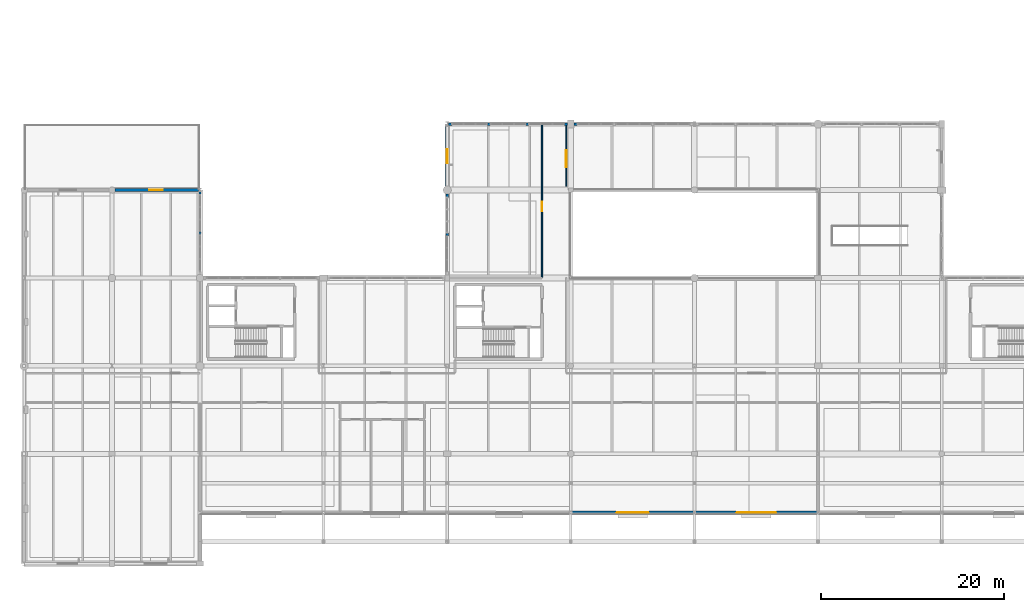
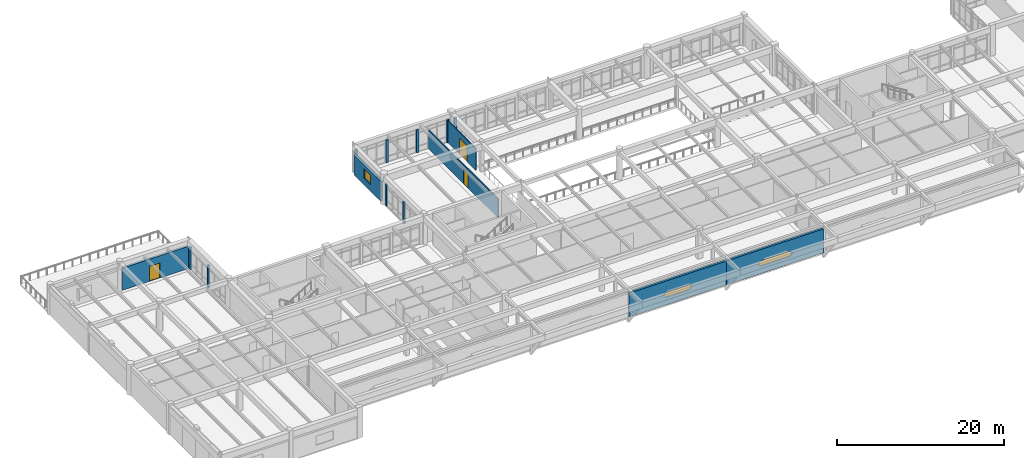
# One storey, part 66 of 80: 15 walls, 3 doors, 3 windows, 6 openings.
"""IFC4 building model written with IfcOpenShell, lengths in metres."""

from ifc_helpers import new_model, si_unit, direction, frame, frame_2d, origin, place, context, subcontext, project, spatial, polyline, rectangle, outline, extrude, material, layer, layer_set, type_object, element, fill, save


model = new_model("IFC4")

# Units and contexts
model_context = context("Model", 3, precision=1e-05, world=origin(), true_north=direction((0.0, 1.0)))
body_context = subcontext(model_context, "Body", "Model", "MODEL_VIEW")
ifc_project = project(units=[si_unit("LENGTHUNIT", "METRE"), si_unit("AREAUNIT", "SQUARE_METRE"), si_unit("VOLUMEUNIT", "CUBIC_METRE"), si_unit("PLANEANGLEUNIT", "RADIAN"), si_unit("MASSUNIT", "GRAM", prefix="KILO")], contexts=[model_context])

# Site, building, storey
site_placement = place(None, origin())
site = spatial("IfcSite", under=ifc_project, at=site_placement, CompositionType="ELEMENT")
building_placement = place(site_placement, origin())
building = spatial("IfcBuilding", under=site, at=building_placement, Name="Fikremerkos Civic Library", CompositionType="ELEMENT")
storey_placement = place(building_placement, frame((0.0, 0.0, 9.89990234375)))
storey = spatial("IfcBuildingStorey", under=building, at=storey_placement, Name="L02", CompositionType="ELEMENT", Elevation=9.89990234375)

# Wall, opening, window
ifc_material_1 = material(Name="Precast concrete C40/50", Category="concrete")
ifc_layer_1 = layer(ifc_material_1, 0.320068359375, Name="Precast concrete C40/50")
ifc_layer_set_1 = layer_set([ifc_layer_1], Name="Precast concrete C40/50")
wall_type_1 = type_object("IfcWallType", Name="Exterior solid wall ESW-02 320", PredefinedType="SOLIDWALL", material=ifc_layer_set_1)
wall_1_placement = place(storey_placement, frame((46.199951171875, 41.248046875, 0.0), z_axis=(0.0, 0.0, 1.0), x_axis=(0.0, 1.0, 0.0)))
wall_1 = element("IfcWall", 1, at=wall_1_placement, inside=storey, type_object=wall_type_1, Name="Exterior solid wall ESW-02 L02 #491", PredefinedType="SOLIDWALL", context=body_context, shape_type="SweptSolid", body=[
    extrude(rectangle(XDim=6.50390625, YDim=0.320068359375, at=frame_2d((3.251953125, 0.0))), origin(), (0.0, 0.0, 1.0), 2.920166015625),
])
opening_1_placement = place(wall_1_placement, frame((2.501953125, 0.0, 0.949951171875)))
opening_1 = element("IfcOpeningElement", 2, at=opening_1_placement, cuts=wall_1, Name="Opening CWND-10", PredefinedType="OPENING", context=body_context, shape_type="SweptSolid", body=[
    extrude(rectangle(XDim=1.5, YDim=1.35009765625, at=frame_2d((0.75, 0.675048828125))), frame((0.0, 0.169921875, 0.0), z_axis=(0.0, -1.0, 0.0), x_axis=(1.0, 0.0, 0.0)), (0.0, 0.0, 1.0), 0.340087890625),
])
ifc_material_2 = material(Name="Solar control double glazing", Category="glass")
window_type_1 = type_object("IfcWindowType", Name="Courtyard window CWND-10 1500x1350", PartitioningType="SINGLE_PANEL", PredefinedType="WINDOW", material=ifc_material_2)
window_1_placement = place(opening_1_placement, origin())
window_1 = element("IfcWindow", 3, at=window_1_placement, inside=storey, type_object=window_type_1, Name="Courtyard window CWND-10 L02 #26", OverallHeight=1.35009765625, OverallWidth=1.5, PartitioningType="SINGLE_PANEL", PredefinedType="WINDOW", context=body_context, shape_type="SweptSolid", body=[
    extrude(rectangle(XDim=1.5, YDim=1.35009765625, at=frame_2d((0.75, 0.675048828125))), frame((0.0, 0.032470703125, 0.0), z_axis=(0.0, -1.0, 0.0), x_axis=(1.0, 0.0, 0.0)), (0.0, 0.0, 1.0), 0.06494140625),
])
fill(opening_1, window_1)

ifc_layer_2 = layer(ifc_material_1, 0.300048828125, Name="Precast concrete C40/50")
ifc_layer_set_2 = layer_set([ifc_layer_2], Name="Precast concrete C40/50")
wall_type_2 = type_object("IfcWallType", Name="Exterior solid wall ESW-03 300", PredefinedType="SOLIDWALL", material=ifc_layer_set_2)
wall_2_placement = place(storey_placement, frame((86.697998046875, 5.60009765625, 0.0), z_axis=(0.0, 0.0, 1.0), x_axis=(-1.0, 0.0, 0.0)))
wall_2 = element("IfcWall", 4, at=wall_2_placement, inside=storey, type_object=wall_type_2, Name="Cantilever concrete band wall ESW-03 L02 #459", PredefinedType="SOLIDWALL", context=body_context, shape_type="SweptSolid", body=[
    extrude(rectangle(XDim=13.49609375, YDim=0.300048828125, at=frame_2d((6.748046875, 0.0))), origin(), (0.0, 0.0, 1.0), 3.5),
])
opening_2_placement = place(wall_2_placement, frame((4.447998046875, 0.0, 1.10009765625)))
opening_2 = element("IfcOpeningElement", 5, at=opening_2_placement, cuts=wall_2, Name="Opening SW-10", PredefinedType="OPENING", context=body_context, shape_type="SweptSolid", body=[
    extrude(outline(polyline([(0.375, 0.75), (0.246826171875, 0.727294921875), (0.134033203125, 0.662353515625), (0.05029296875, 0.5625), (0.005615234375, 0.440185546875), (0.005615234375, 0.309814453125), (0.05029296875, 0.1875), (0.134033203125, 0.087646484375), (0.246826171875, 0.022705078125), (0.375, 0.0), (4.22509765625, 0.0), (4.353271484375, 0.022705078125), (4.466064453125, 0.087646484375), (4.5498046875, 0.1875), (4.594482421875, 0.309814453125), (4.594482421875, 0.440185546875), (4.5498046875, 0.5625), (4.466064453125, 0.662353515625), (4.353271484375, 0.727294921875), (4.22509765625, 0.75), (0.375, 0.75)])), frame((0.0, 0.159912109375, 0.0), z_axis=(0.0, -1.0, 0.0), x_axis=(1.0, 0.0, 0.0)), (0.0, 0.0, 1.0), 0.320068359375),
])
window_type_2 = type_object("IfcWindowType", Name="Facade slot window SW-10 4600x750", PartitioningType="SINGLE_PANEL", PredefinedType="WINDOW", material=ifc_material_2)
window_2_placement = place(opening_2_placement, origin())
window_2 = element("IfcWindow", 6, at=window_2_placement, inside=storey, type_object=window_type_2, Name="Rounded-end facade slot window SW-10 L02 #10", OverallHeight=0.75, OverallWidth=4.60009765625, PartitioningType="SINGLE_PANEL", PredefinedType="WINDOW", context=body_context, shape_type="SweptSolid", body=[
    extrude(outline(polyline([(0.375, 0.75), (0.246826171875, 0.727294921875), (0.134033203125, 0.662353515625), (0.05029296875, 0.5625), (0.005615234375, 0.440185546875), (0.005615234375, 0.309814453125), (0.05029296875, 0.1875), (0.134033203125, 0.087646484375), (0.246826171875, 0.022705078125), (0.375, 0.0), (4.22509765625, 0.0), (4.353271484375, 0.022705078125), (4.466064453125, 0.087646484375), (4.5498046875, 0.1875), (4.594482421875, 0.309814453125), (4.594482421875, 0.440185546875), (4.5498046875, 0.5625), (4.466064453125, 0.662353515625), (4.353271484375, 0.727294921875), (4.22509765625, 0.75), (0.375, 0.75)])), frame((0.0, 0.032470703125, 0.0), z_axis=(0.0, -1.0, 0.0), x_axis=(1.0, 0.0, 0.0)), (0.0, 0.0, 1.0), 0.06494140625),
])
fill(opening_2, window_2)

wall_3_placement = place(storey_placement, frame((73.197998046875, 5.60009765625, 0.0), z_axis=(0.0, 0.0, 1.0), x_axis=(-1.0, 0.0, 0.0)))
wall_3 = element("IfcWall", 7, at=wall_3_placement, inside=storey, type_object=wall_type_2, Name="Cantilever concrete band wall ESW-03 L02 #460", PredefinedType="SOLIDWALL", context=body_context, shape_type="SweptSolid", body=[
    extrude(rectangle(XDim=13.49609375, YDim=0.300048828125, at=frame_2d((6.748046875, 0.0))), origin(), (0.0, 0.0, 1.0), 3.5),
])
opening_3_placement = place(wall_3_placement, frame((4.847900390625, 0.0, 1.10009765625)))
opening_3 = element("IfcOpeningElement", 8, at=opening_3_placement, cuts=wall_3, Name="Opening SW-11", PredefinedType="OPENING", context=body_context, shape_type="SweptSolid", body=[
    extrude(outline(polyline([(0.35009765625, 0.699951171875), (0.230224609375, 0.678955078125), (0.125, 0.6181640625), (0.046875, 0.52490234375), (0.00537109375, 0.41064453125), (0.00537109375, 0.289306640625), (0.046875, 0.175048828125), (0.125, 0.081787109375), (0.230224609375, 0.02099609375), (0.349853515625, 0.0), (3.4501953125, 0.0), (3.56982421875, 0.02099609375), (3.675048828125, 0.081787109375), (3.753173828125, 0.175048828125), (3.794677734375, 0.289306640625), (3.794677734375, 0.41064453125), (3.753173828125, 0.52490234375), (3.675048828125, 0.6181640625), (3.56982421875, 0.678955078125), (3.4501953125, 0.699951171875), (0.35009765625, 0.699951171875)])), frame((0.0, 0.159912109375, 0.0), z_axis=(0.0, -1.0, 0.0), x_axis=(1.0, 0.0, 0.0)), (0.0, 0.0, 1.0), 0.320068359375),
])
window_type_3 = type_object("IfcWindowType", Name="Facade slot window SW-11 3800x700", PartitioningType="SINGLE_PANEL", PredefinedType="WINDOW", material=ifc_material_2)
window_3_placement = place(opening_3_placement, origin())
window_3 = element("IfcWindow", 9, at=window_3_placement, inside=storey, type_object=window_type_3, Name="Rounded-end facade slot window SW-11 L02 #11", OverallHeight=0.699951171875, OverallWidth=3.800048828125, PartitioningType="SINGLE_PANEL", PredefinedType="WINDOW", context=body_context, shape_type="SweptSolid", body=[
    extrude(outline(polyline([(0.35009765625, 0.699951171875), (0.230224609375, 0.678955078125), (0.125, 0.6181640625), (0.046875, 0.52490234375), (0.00537109375, 0.41064453125), (0.00537109375, 0.289306640625), (0.046875, 0.175048828125), (0.125, 0.081787109375), (0.230224609375, 0.02099609375), (0.349853515625, 0.0), (3.4501953125, 0.0), (3.56982421875, 0.02099609375), (3.675048828125, 0.081787109375), (3.753173828125, 0.175048828125), (3.794677734375, 0.289306640625), (3.794677734375, 0.41064453125), (3.753173828125, 0.52490234375), (3.675048828125, 0.6181640625), (3.56982421875, 0.678955078125), (3.4501953125, 0.699951171875), (0.35009765625, 0.699951171875)])), frame((0.0, 0.032470703125, 0.0), z_axis=(0.0, -1.0, 0.0), x_axis=(1.0, 0.0, 0.0)), (0.0, 0.0, 1.0), 0.06494140625),
])
fill(opening_3, window_3)

# Wall, opening, door
wall_4_placement = place(storey_placement, frame((9.947998046875, 40.800048828125, 0.0), z_axis=(0.0, 0.0, 1.0), x_axis=(1.0, 0.0, 0.0)))
wall_4 = element("IfcWall", 10, at=wall_4_placement, inside=storey, type_object=wall_type_2, Name="Terrace threshold wall ESW-03 L02 #476", PredefinedType="SOLIDWALL", context=body_context, shape_type="SweptSolid", body=[
    extrude(rectangle(XDim=9.10400390625, YDim=0.300048828125, at=frame_2d((4.552001953125, 0.0))), origin(), (0.0, 0.0, 1.0), 3.25),
])
opening_4_placement = place(wall_4_placement, frame((3.701904296875, 0.0, 0.0)))
opening_4 = element("IfcOpeningElement", 11, at=opening_4_placement, cuts=wall_4, Name="Opening D024", PredefinedType="OPENING", context=body_context, shape_type="SweptSolid", body=[
    extrude(rectangle(XDim=1.5, YDim=2.199951171875, at=frame_2d((0.75, 1.10009765625))), frame((0.0, 0.159912109375, 0.0), z_axis=(0.0, -1.0, 0.0), x_axis=(1.0, 0.0, 0.0)), (0.0, 0.0, 1.0), 0.320068359375),
])
ifc_material_3 = material(Name="Thermally broken bronze aluminium and glass", Category="aluminium")
door_type_1 = type_object("IfcDoorType", Name="Pedestrian door DT-13 1500x2200", OperationType="NOTDEFINED", PredefinedType="DOOR", material=ifc_material_3)
door_1_placement = place(opening_4_placement, origin())
door_1 = element("IfcDoor", 12, at=door_1_placement, inside=storey, type_object=door_type_1, Name="Reading terrace access door D024 L02", OperationType="SINGLE_SWING_RIGHT", OverallHeight=2.199951171875, OverallWidth=1.5, PredefinedType="DOOR", context=body_context, shape_type="SweptSolid", body=[
    extrude(rectangle(XDim=1.5, YDim=2.199951171875, at=frame_2d((0.75, 1.10009765625))), frame((0.0, 0.032470703125, 0.0), z_axis=(0.0, -1.0, 0.0), x_axis=(1.0, 0.0, 0.0)), (0.0, 0.0, 1.0), 0.06494140625),
])
fill(opening_4, door_1)

# Walls
ifc_layer_3 = layer(ifc_material_1, 0.25, Name="Precast concrete C40/50")
ifc_layer_set_3 = layer_set([ifc_layer_3], Name="Precast concrete C40/50")
wall_type_3 = type_object("IfcWallType", Name="Exterior solid wall ESW-05 250", PredefinedType="SOLIDWALL", material=ifc_layer_set_3)
wall_5_placement = place(storey_placement, frame((19.199951171875, 40.6220703125, 0.0), z_axis=(0.0, 0.0, 1.0), x_axis=(0.0, -1.0, 0.0)))
element("IfcWall", 13, at=wall_5_placement, inside=storey, type_object=wall_type_3, Name="Exterior facade pier ESW-05 #477", PredefinedType="SOLIDWALL", context=body_context, shape_type="SweptSolid", body=[
    extrude(rectangle(XDim=0.35009765625, YDim=0.25, at=frame_2d((0.175048828125, 0.0))), origin(), (0.0, 0.0, 1.0), 3.25),
])
wall_6_placement = place(storey_placement, frame((19.199951171875, 36.260009765625, 0.0), z_axis=(0.0, 0.0, 1.0), x_axis=(0.0, -1.0, 0.0)))
element("IfcWall", 14, at=wall_6_placement, inside=storey, type_object=wall_type_3, Name="Exterior facade mullion pier ESW-05 #479", PredefinedType="SOLIDWALL", context=body_context, shape_type="SweptSolid", body=[
    extrude(rectangle(XDim=0.300048828125, YDim=0.25, at=frame_2d((0.14990234375, 0.0))), origin(), (0.0, 0.0, 1.0), 3.25),
])
wall_7_placement = place(storey_placement, frame((46.199951171875, 40.001953125, 0.0), z_axis=(0.0, 0.0, 1.0), x_axis=(0.0, 1.0, 0.0)))
element("IfcWall", 15, at=wall_7_placement, inside=storey, type_object=wall_type_3, Name="Exterior facade pier ESW-05 #489", PredefinedType="SOLIDWALL", context=body_context, shape_type="SweptSolid", body=[
    extrude(rectangle(XDim=0.35009765625, YDim=0.25, at=frame_2d((0.175048828125, 0.0))), origin(), (0.0, 0.0, 1.0), 3.150146484375),
])
wall_8_placement = place(storey_placement, frame((46.199951171875, 35.800048828125, 0.0), z_axis=(0.0, 0.0, 1.0), x_axis=(0.0, 1.0, 0.0)))
element("IfcWall", 16, at=wall_8_placement, inside=storey, type_object=wall_type_3, Name="Exterior facade mullion pier ESW-05 #490", PredefinedType="SOLIDWALL", context=body_context, shape_type="SweptSolid", body=[
    extrude(rectangle(XDim=0.300048828125, YDim=0.25, at=frame_2d((0.14990234375, 0.0))), origin(), (0.0, 0.0, 1.0), 3.150146484375),
])
for number, where, z_axis, x_axis, name in (
    (17, (46.347900390625, 48.0, 0.0), (0.0, 0.0, 1.0), (1.0, 0.0, 0.0), "Exterior facade pier ESW-05 #492"),
    (18, (59.001953125, 48.0, 0.0), (0.0, 0.0, 1.0), (1.0, 0.0, 0.0), "Exterior facade pier ESW-05 #493"),
):
    element("IfcWall", number, at=place(storey_placement, frame(where, z_axis=z_axis, x_axis=x_axis)), inside=storey, type_object=wall_type_3, Name=name, PredefinedType="SOLIDWALL", context=body_context, shape_type="SweptSolid", body=[
        extrude(rectangle(XDim=0.35009765625, YDim=0.25, at=frame_2d((0.175048828125, 0.0))), origin(), (0.0, 0.0, 1.0), 3.360107421875),
    ])
wall_9_placement = place(storey_placement, frame((50.599365234375, 48.0, 0.0), z_axis=(0.0, 0.0, 1.0), x_axis=(1.0, 0.0, 0.0)))
element("IfcWall", 19, at=wall_9_placement, inside=storey, type_object=wall_type_3, Name="Exterior facade mullion pier ESW-05 #494", PredefinedType="SOLIDWALL", context=body_context, shape_type="SweptSolid", body=[
    extrude(rectangle(XDim=0.300048828125, YDim=0.25, at=frame_2d((0.14990234375, 0.0))), origin(), (0.0, 0.0, 1.0), 3.360107421875),
])
wall_10_placement = place(storey_placement, frame((54.80078125, 48.0, 0.0), z_axis=(0.0, 0.0, 1.0), x_axis=(1.0, 0.0, 0.0)))
element("IfcWall", 20, at=wall_10_placement, inside=storey, type_object=wall_type_3, Name="Exterior facade mullion pier ESW-05 #495", PredefinedType="SOLIDWALL", context=body_context, shape_type="SweptSolid", body=[
    extrude(rectangle(XDim=0.2998046875, YDim=0.25, at=frame_2d((0.14990234375, 0.0))), origin(), (0.0, 0.0, 1.0), 3.360107421875),
])
wall_11_placement = place(storey_placement, frame((60.048095703125, 48.0, 0.0), z_axis=(0.0, 0.0, 1.0), x_axis=(1.0, 0.0, 0.0)))
element("IfcWall", 21, at=wall_11_placement, inside=storey, type_object=wall_type_3, Name="Exterior facade pier ESW-05 #496", PredefinedType="SOLIDWALL", context=body_context, shape_type="SweptSolid", body=[
    extrude(rectangle(XDim=0.349853515625, YDim=0.25, at=frame_2d((0.1748046875, 0.0))), origin(), (0.0, 0.0, 1.0), 3.260009765625),
])

# Wall, opening, door
ifc_material_4 = material(Name="Acoustic gypsum stud partition")
ifc_layer_4 = layer(ifc_material_4, 0.14990234375, Name="Acoustic gypsum stud partition")
ifc_layer_set_4 = layer_set([ifc_layer_4], Name="Acoustic gypsum stud partition")
wall_type_4 = type_object("IfcWallType", Name="Interior partition wall IPW-02 150", PredefinedType="PARTITIONING", material=ifc_layer_set_4)
wall_12_placement = place(storey_placement, frame((56.550048828125, 31.304931640625, 0.0), z_axis=(0.0, 0.0, 1.0), x_axis=(0.0, 1.0, 0.0)))
wall_12 = element("IfcWall", 22, at=wall_12_placement, inside=storey, type_object=wall_type_4, Name="Interior wall IPW-02 L02 #197", PredefinedType="PARTITIONING", context=body_context, shape_type="SweptSolid", body=[
    extrude(rectangle(XDim=16.612060546875, YDim=0.14990234375, at=frame_2d((8.30615234375, 0.0))), origin(), (0.0, 0.0, 1.0), 2.732666015625),
])
opening_5_placement = place(wall_12_placement, frame((7.195068359375, 0.0, 0.0)))
opening_5 = element("IfcOpeningElement", 23, at=opening_5_placement, cuts=wall_12, Name="Opening D225", PredefinedType="OPENING", context=body_context, shape_type="SweptSolid", body=[
    extrude(rectangle(XDim=1.0, YDim=2.199951171875, at=frame_2d((0.5, 1.10009765625))), frame((0.0, 0.0849609375, 0.0), z_axis=(0.0, -1.0, 0.0), x_axis=(1.0, 0.0, 0.0)), (0.0, 0.0, 1.0), 0.169921875),
])
ifc_material_5 = material(Name="Hardwood timber and acoustic glass", Category="wood")
door_type_2 = type_object("IfcDoorType", Name="Pedestrian door DT-01 1000x2200", OperationType="NOTDEFINED", PredefinedType="DOOR", material=ifc_material_5)
door_2_placement = place(opening_5_placement, origin())
door_2 = element("IfcDoor", 24, at=door_2_placement, inside=storey, type_object=door_type_2, Name="Interior door D225 L02", OperationType="SINGLE_SWING_RIGHT", OverallHeight=2.199951171875, OverallWidth=1.0, PredefinedType="DOOR", context=body_context, shape_type="SweptSolid", body=[
    extrude(rectangle(XDim=1.0, YDim=2.199951171875, at=frame_2d((0.5, 1.10009765625))), frame((0.0, 0.032470703125, 0.0), z_axis=(0.0, -1.0, 0.0), x_axis=(1.0, 0.0, 0.0)), (0.0, 0.0, 1.0), 0.06494140625),
])
fill(opening_5, door_2)

ifc_material_6 = material(Name="Lightweight metal stud partition")
ifc_layer_5 = layer(ifc_material_6, 0.110107421875, Name="Lightweight metal stud partition")
ifc_layer_set_5 = layer_set([ifc_layer_5], Name="Lightweight metal stud partition")
wall_type_5 = type_object("IfcWallType", Name="Interior partition wall IPW-04 110", PredefinedType="PARTITIONING", material=ifc_layer_set_5)
wall_13_placement = place(storey_placement, frame((59.199951171875, 41.199951171875, 0.0), z_axis=(0.0, 0.0, 1.0), x_axis=(0.0, 1.0, 0.0)))
wall_13 = element("IfcWall", 25, at=wall_13_placement, inside=storey, type_object=wall_type_5, Name="Interior wall IPW-04 L02 #199", PredefinedType="PARTITIONING", context=body_context, shape_type="SweptSolid", body=[
    extrude(rectangle(XDim=6.671142578125, YDim=0.110107421875, at=frame_2d((3.33544921875, 0.0))), origin(), (0.0, 0.0, 1.0), 3.210205078125),
])
opening_6_placement = place(wall_13_placement, frame((2.074951171875, 0.0, 0.0)))
opening_6 = element("IfcOpeningElement", 26, at=opening_6_placement, cuts=wall_13, Name="Opening D226", PredefinedType="OPENING", context=body_context, shape_type="SweptSolid", body=[
    extrude(rectangle(XDim=1.85009765625, YDim=2.35009765625, at=frame_2d((0.925048828125, 1.175048828125))), frame((0.0, 0.06494140625, 0.0), z_axis=(0.0, -1.0, 0.0), x_axis=(1.0, 0.0, 0.0)), (0.0, 0.0, 1.0), 0.130126953125),
])
door_type_3 = type_object("IfcDoorType", Name="Pedestrian door DT-09 1850x2350", OperationType="NOTDEFINED", PredefinedType="DOOR", material=ifc_material_5)
door_3_placement = place(opening_6_placement, origin())
door_3 = element("IfcDoor", 27, at=door_3_placement, inside=storey, type_object=door_type_3, Name="Interior door D226 L02", OperationType="SINGLE_SWING_LEFT", OverallHeight=2.35009765625, OverallWidth=1.85009765625, PredefinedType="DOOR", context=body_context, shape_type="SweptSolid", body=[
    extrude(rectangle(XDim=1.85009765625, YDim=2.35009765625, at=frame_2d((0.925048828125, 1.175048828125))), frame((0.0, 0.032470703125, 0.0), z_axis=(0.0, -1.0, 0.0), x_axis=(1.0, 0.0, 0.0)), (0.0, 0.0, 1.0), 0.06494140625),
])
fill(opening_6, door_3)

save(model, "model.ifc")
